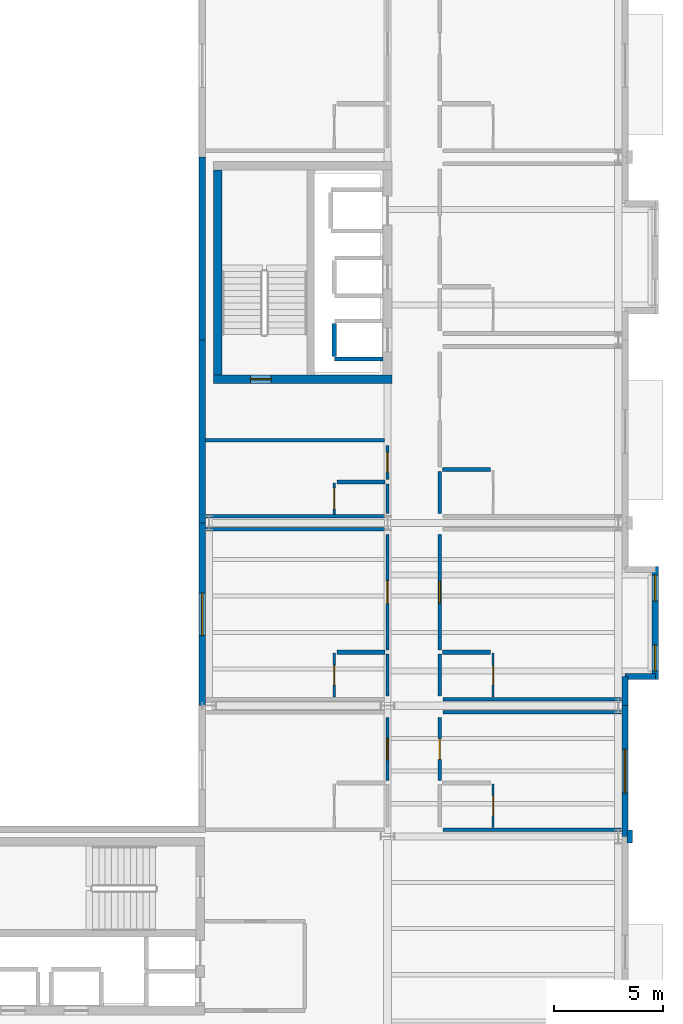
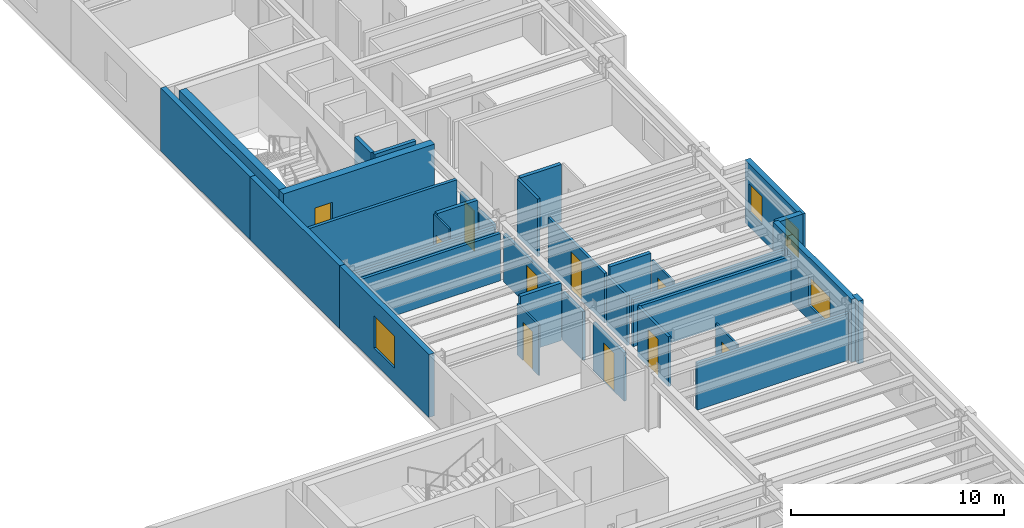
# One storey, part 24 of 34: 35 walls, 10 doors, 4 windows, 14 openings.
"""IFC4 building model written with IfcOpenShell, lengths in metres."""

from ifc_helpers import new_model, si_unit, direction, frame, frame_2d, origin, place, context, subcontext, project, spatial, rectangle, extrude, material, layer, layer_set, type_object, element, fill, save


model = new_model("IFC4")

# Units and contexts
model_context = context("Model", 3, precision=1e-05, world=origin(), true_north=direction((0.0, 1.0)))
body_context = subcontext(model_context, "Body", "Model", "MODEL_VIEW")
ifc_project = project(units=[si_unit("LENGTHUNIT", "METRE"), si_unit("AREAUNIT", "SQUARE_METRE"), si_unit("VOLUMEUNIT", "CUBIC_METRE"), si_unit("PLANEANGLEUNIT", "RADIAN"), si_unit("MASSUNIT", "GRAM", prefix="KILO")], contexts=[model_context])

# Site, building, storey
site_placement = place(None, origin())
site = spatial("IfcSite", under=ifc_project, at=site_placement, CompositionType="ELEMENT")
building_placement = place(site_placement, origin())
building = spatial("IfcBuilding", under=site, at=building_placement, Name="Sollismere Congress Hotel", CompositionType="ELEMENT")
storey_placement = place(building_placement, frame((0.0, 0.0, 23.39990234375)))
storey = spatial("IfcBuildingStorey", under=building, at=storey_placement, Name="L05", CompositionType="ELEMENT", Elevation=23.39990234375)

# Wall, opening, window
ifc_material_1 = material(Name="Colorado Buff Sandstone Rainscreen on Insulated Backup", Category="masonry")
ifc_layer_1 = layer(ifc_material_1, 0.284912109375, Name="Colorado Buff Sandstone Rainscreen on Insulated Backup")
ifc_layer_set_1 = layer_set([ifc_layer_1], Name="Colorado Buff Sandstone Rainscreen on Insulated Backup")
wall_type_1 = type_object("IfcWallType", Name="WL-EXT285", PredefinedType="STANDARD", material=ifc_layer_set_1)
wall_1_placement = place(storey_placement, frame((166.31005859375, 18.800048828125, 0.0), z_axis=(0.0, 0.0, 1.0), x_axis=(0.0, 1.0, 0.0)))
wall_1 = element("IfcWall", 1, at=wall_1_placement, inside=storey, type_object=wall_type_1, Name="Exterior wall EW-L05-612", PredefinedType="STANDARD", context=body_context, shape_type="SweptSolid", body=[
    extrude(rectangle(XDim=6.0, YDim=0.284912109375, at=frame_2d((3.0, 0.0))), origin(), (0.0, 0.0, 1.0), 3.60009765625),
])
opening_1_placement = place(wall_1_placement, frame((2.0, 0.0, 0.85009765625)))
opening_1 = element("IfcOpeningElement", 2, at=opening_1_placement, cuts=wall_1, Name="Opening W-L05-455", PredefinedType="OPENING", context=body_context, shape_type="SweptSolid", body=[
    extrude(rectangle(XDim=2.0, YDim=1.64990234375, at=frame_2d((1.0, 0.824951171875))), frame((0.0, 0.15234375, 0.0), z_axis=(0.0, -1.0, 0.0), x_axis=(1.0, 0.0, 0.0)), (0.0, 0.0, 1.0), 0.304931640625),
])
ifc_material_2 = material(Name="Thermally Broken Bronze Aluminum & Low-E Glass", Category="aluminium")
window_type_1 = type_object("IfcWindowType", Name="WN-P200x165", PartitioningType="SINGLE_PANEL", PredefinedType="WINDOW", material=ifc_material_2)
window_1_placement = place(opening_1_placement, origin())
window_1 = element("IfcWindow", 3, at=window_1_placement, inside=storey, type_object=window_type_1, Name="WIN-W-L05-455", OverallHeight=1.64990234375, OverallWidth=2.0, PartitioningType="SINGLE_PANEL", PredefinedType="WINDOW", context=body_context, shape_type="SweptSolid", body=[
    extrude(rectangle(XDim=2.0, YDim=1.64990234375, at=frame_2d((1.0, 0.824951171875))), frame((0.0, 0.030029296875, 0.0), z_axis=(0.0, -1.0, 0.0), x_axis=(1.0, 0.0, 0.0)), (0.0, 0.0, 1.0), 0.06005859375),
])
fill(opening_1, window_1)

# Wall
wall_2_placement = place(storey_placement, frame((166.31005859375, 24.800048828125, 0.0), z_axis=(0.0, 0.0, 1.0), x_axis=(0.0, 1.0, 0.0)))
element("IfcWall", 4, at=wall_2_placement, inside=storey, type_object=wall_type_1, Name="Exterior wall EW-L05-614", PredefinedType="STANDARD", context=body_context, shape_type="SweptSolid", body=[
    extrude(rectangle(XDim=1.33984375, YDim=0.284912109375, at=frame_2d((0.669921875, 0.0))), origin(), (0.0, 0.0, 1.0), 3.60009765625),
])

# Wall, openings, windows
wall_3_placement = place(storey_placement, frame((167.699951171875, 26.0, 0.0), z_axis=(0.0, 0.0, 1.0), x_axis=(0.0, 1.0, 0.0)))
wall_3 = element("IfcWall", 5, at=wall_3_placement, inside=storey, type_object=wall_type_1, Name="Exterior wall EW-L05-616", PredefinedType="STANDARD", context=body_context, shape_type="SweptSolid", body=[
    extrude(rectangle(XDim=5.199951171875, YDim=0.284912109375, at=frame_2d((2.60009765625, 0.0))), origin(), (0.0, 0.0, 1.0), 3.60009765625),
])
opening_2_placement = place(wall_3_placement, frame((0.39990234375, 0.0, 0.85009765625)))
opening_2 = element("IfcOpeningElement", 6, at=opening_2_placement, cuts=wall_3, Name="Opening W-L05-456", PredefinedType="OPENING", context=body_context, shape_type="SweptSolid", body=[
    extrude(rectangle(XDim=1.199951171875, YDim=1.60009765625, at=frame_2d((0.60009765625, 0.800048828125))), frame((0.0, 0.15234375, 0.0), z_axis=(0.0, -1.0, 0.0), x_axis=(1.0, 0.0, 0.0)), (0.0, 0.0, 1.0), 0.304931640625),
])
opening_3_placement = place(wall_3_placement, frame((3.60009765625, 0.0, 0.85009765625)))
opening_3 = element("IfcOpeningElement", 7, at=opening_3_placement, cuts=wall_3, Name="Opening W-L05-457", PredefinedType="OPENING", context=body_context, shape_type="SweptSolid", body=[
    extrude(rectangle(XDim=1.199951171875, YDim=1.60009765625, at=frame_2d((0.60009765625, 0.800048828125))), frame((0.0, 0.15234375, 0.0), z_axis=(0.0, -1.0, 0.0), x_axis=(1.0, 0.0, 0.0)), (0.0, 0.0, 1.0), 0.304931640625),
])
window_type_2 = type_object("IfcWindowType", Name="WN-P120x160", PartitioningType="SINGLE_PANEL", PredefinedType="WINDOW", material=ifc_material_2)
window_2_placement = place(opening_2_placement, origin())
window_2 = element("IfcWindow", 8, at=window_2_placement, inside=storey, type_object=window_type_2, Name="WIN-W-L05-456", OverallHeight=1.60009765625, OverallWidth=1.199951171875, PartitioningType="SINGLE_PANEL", PredefinedType="WINDOW", context=body_context, shape_type="SweptSolid", body=[
    extrude(rectangle(XDim=1.199951171875, YDim=1.60009765625, at=frame_2d((0.60009765625, 0.800048828125))), frame((0.0, 0.030029296875, 0.0), z_axis=(0.0, -1.0, 0.0), x_axis=(1.0, 0.0, 0.0)), (0.0, 0.0, 1.0), 0.06005859375),
])
fill(opening_2, window_2)
window_3_placement = place(opening_3_placement, origin())
window_3 = element("IfcWindow", 9, at=window_3_placement, inside=storey, type_object=window_type_2, Name="WIN-W-L05-457", OverallHeight=1.60009765625, OverallWidth=1.199951171875, PartitioningType="SINGLE_PANEL", PredefinedType="WINDOW", context=body_context, shape_type="SweptSolid", body=[
    extrude(rectangle(XDim=1.199951171875, YDim=1.60009765625, at=frame_2d((0.60009765625, 0.800048828125))), frame((0.0, 0.030029296875, 0.0), z_axis=(0.0, -1.0, 0.0), x_axis=(1.0, 0.0, 0.0)), (0.0, 0.0, 1.0), 0.06005859375),
])
fill(opening_3, window_3)

# Wall
wall_4_placement = place(storey_placement, frame((166.31005859375, 26.139892578125, 0.0), z_axis=(0.0, 0.0, 1.0), x_axis=(1.0, 0.0, 0.0)))
element("IfcWall", 10, at=wall_4_placement, inside=storey, type_object=wall_type_1, Name="Exterior wall EW-L05-617", PredefinedType="STANDARD", context=body_context, shape_type="SweptSolid", body=[
    extrude(rectangle(XDim=1.389892578125, YDim=0.284912109375, at=frame_2d((0.69482421875, 0.0))), origin(), (0.0, 0.0, 1.0), 3.60009765625),
])

# Wall, opening, window
wall_5_placement = place(storey_placement, frame((146.889892578125, 24.800048828125, 0.0), z_axis=(0.0, 0.0, 1.0), x_axis=(0.0, 1.0, 0.0)))
wall_5 = element("IfcWall", 11, at=wall_5_placement, inside=storey, type_object=wall_type_1, Name="Exterior wall EW-L05-643", PredefinedType="STANDARD", context=body_context, shape_type="SweptSolid", body=[
    extrude(rectangle(XDim=8.39990234375, YDim=0.284912109375, at=frame_2d((4.199951171875, 0.0))), origin(), (0.0, 0.0, 1.0), 3.60009765625),
])
opening_4_placement = place(wall_5_placement, frame((3.22509765625, 0.0, 0.85009765625)))
opening_4 = element("IfcOpeningElement", 12, at=opening_4_placement, cuts=wall_5, Name="Opening W-L05-476", PredefinedType="OPENING", context=body_context, shape_type="SweptSolid", body=[
    extrude(rectangle(XDim=1.949951171875, YDim=1.85009765625, at=frame_2d((0.97509765625, 0.925048828125))), frame((0.0, 0.15234375, 0.0), z_axis=(0.0, -1.0, 0.0), x_axis=(1.0, 0.0, 0.0)), (0.0, 0.0, 1.0), 0.304931640625),
])
window_type_3 = type_object("IfcWindowType", Name="WN-P195x185", PartitioningType="SINGLE_PANEL", PredefinedType="WINDOW", material=ifc_material_2)
window_4_placement = place(opening_4_placement, origin())
window_4 = element("IfcWindow", 13, at=window_4_placement, inside=storey, type_object=window_type_3, Name="WIN-W-L05-476", OverallHeight=1.85009765625, OverallWidth=1.949951171875, PartitioningType="SINGLE_PANEL", PredefinedType="WINDOW", context=body_context, shape_type="SweptSolid", body=[
    extrude(rectangle(XDim=1.949951171875, YDim=1.85009765625, at=frame_2d((0.97509765625, 0.925048828125))), frame((0.0, 0.030029296875, 0.0), z_axis=(0.0, -1.0, 0.0), x_axis=(1.0, 0.0, 0.0)), (0.0, 0.0, 1.0), 0.06005859375),
])
fill(opening_4, window_4)

# Walls
wall_6_placement = place(storey_placement, frame((146.889892578125, 33.199951171875, 0.0), z_axis=(0.0, 0.0, 1.0), x_axis=(0.0, 1.0, 0.0)))
element("IfcWall", 14, at=wall_6_placement, inside=storey, type_object=wall_type_1, Name="Exterior wall EW-L05-644", PredefinedType="STANDARD", context=body_context, shape_type="SweptSolid", body=[
    extrude(rectangle(XDim=8.400146484375, YDim=0.284912109375, at=frame_2d((4.2001953125, 0.0))), origin(), (0.0, 0.0, 1.0), 3.60009765625),
])
wall_7_placement = place(storey_placement, frame((146.889892578125, 41.60009765625, 0.0), z_axis=(0.0, 0.0, 1.0), x_axis=(0.0, 1.0, 0.0)))
element("IfcWall", 15, at=wall_7_placement, inside=storey, type_object=wall_type_1, Name="Exterior wall EW-L05-645", PredefinedType="STANDARD", context=body_context, shape_type="SweptSolid", body=[
    extrude(rectangle(XDim=8.39990234375, YDim=0.284912109375, at=frame_2d((4.199951171875, 0.0))), origin(), (0.0, 0.0, 1.0), 3.60009765625),
])
ifc_material_3 = material(Name="Carved Travertine Pilaster & Frieze Assembly", Category="masonry")
ifc_layer_2 = layer(ifc_material_3, 0.260009765625, Name="Carved Travertine Pilaster & Frieze Assembly")
ifc_layer_set_2 = layer_set([ifc_layer_2], Name="Carved Travertine Pilaster & Frieze Assembly")
wall_type_2 = type_object("IfcWallType", Name="WL-PIL280", PredefinedType="ELEMENTEDWALL", material=ifc_layer_set_2)
wall_8_placement = place(storey_placement, frame((166.52001953125, 18.5, 0.0), z_axis=(0.0, 0.0, 1.0), x_axis=(0.0, 1.0, 0.0)))
element("IfcWall", 16, at=wall_8_placement, inside=storey, type_object=wall_type_2, Name="Exterior wall EW-L05-613", PredefinedType="ELEMENTEDWALL", context=body_context, shape_type="SweptSolid", body=[
    extrude(rectangle(XDim=0.60009765625, YDim=0.260009765625, at=frame_2d((0.300048828125, 0.0))), origin(), (0.0, 0.0, 1.0), 3.60009765625),
])
ifc_material_4 = material(Name="Moisture-Resistant Shaft Gypsum Assembly")
ifc_layer_3 = layer(ifc_material_4, 0.199951171875, Name="Moisture-Resistant Shaft Gypsum Assembly")
ifc_layer_set_3 = layer_set([ifc_layer_3], Name="Moisture-Resistant Shaft Gypsum Assembly")
wall_type_3 = type_object("IfcWallType", Name="WL-PLM200", PredefinedType="PLUMBINGWALL", material=ifc_layer_set_3)
wall_9_placement = place(storey_placement, frame((152.955078125, 40.72998046875, 0.0), z_axis=(0.0, 0.0, 1.0), x_axis=(1.0, 0.0, 0.0)))
element("IfcWall", 17, at=wall_9_placement, inside=storey, type_object=wall_type_3, Name="Interior wall IW-L05-0467", PredefinedType="PLUMBINGWALL", context=body_context, shape_type="SweptSolid", body=[
    extrude(rectangle(XDim=2.23291015625, YDim=0.199951171875, at=frame_2d((1.116455078125, 0.0))), origin(), (0.0, 0.0, 1.0), 3.300048828125),
])
wall_10_placement = place(storey_placement, frame((152.955078125, 40.842041015625, 0.0), z_axis=(0.0, 0.0, 1.0), x_axis=(0.0, 1.0, 0.0)))
element("IfcWall", 18, at=wall_10_placement, inside=storey, type_object=wall_type_3, Name="Interior wall IW-L05-0469", PredefinedType="PLUMBINGWALL", context=body_context, shape_type="SweptSolid", body=[
    extrude(rectangle(XDim=1.515869140625, YDim=0.199951171875, at=frame_2d((0.7578125, 0.0))), origin(), (0.0, 0.0, 1.0), 3.300048828125),
])
for number, where, z_axis, x_axis, name in (
    (19, (157.919921875, 27.25, 0.0), (0.0, 0.0, 1.0), (1.0, 0.0, 0.0), "Interior wall IW-L05-1898"),
    (20, (153.070068359375, 27.25, 0.0), (0.0, 0.0, 1.0), (1.0, 0.0, 0.0), "Interior wall IW-L05-1904"),
    (21, (157.919921875, 35.64990234375, 0.0), (0.0, 0.0, 1.0), (1.0, 0.0, 0.0), "Interior wall IW-L05-1910"),
    (22, (153.070068359375, 35.074951171875, 0.0), (0.0, 0.0, 1.0), (1.0, 0.0, 0.0), "Interior wall IW-L05-1916"),
):
    element("IfcWall", number, at=place(storey_placement, frame(where, z_axis=z_axis, x_axis=x_axis)), inside=storey, type_object=wall_type_3, Name=name, PredefinedType="PLUMBINGWALL", context=body_context, shape_type="SweptSolid", body=[
        extrude(rectangle(XDim=2.2099609375, YDim=0.199951171875, at=frame_2d((1.10498046875, 0.0))), origin(), (0.0, 0.0, 1.0), 3.300048828125),
    ])

# Wall, opening, door
ifc_material_5 = material(Name="Moisture-Resistant Gypsum Partition")
ifc_layer_4 = layer(ifc_material_5, 0.10009765625, Name="Moisture-Resistant Gypsum Partition")
ifc_layer_set_4 = layer_set([ifc_layer_4], Name="Moisture-Resistant Gypsum Partition")
wall_type_4 = type_object("IfcWallType", Name="WL-PRT100", PredefinedType="PARTITIONING", material=ifc_layer_set_4)
wall_11_placement = place(storey_placement, frame((160.25, 19.194580078125, 0.0), z_axis=(0.0, 0.0, 1.0), x_axis=(0.0, 1.0, 0.0)))
wall_11 = element("IfcWall", 23, at=wall_11_placement, inside=storey, type_object=wall_type_4, Name="Interior wall IW-L05-1887", PredefinedType="PARTITIONING", context=body_context, shape_type="SweptSolid", body=[
    extrude(rectangle(XDim=2.015380859375, YDim=0.10009765625, at=frame_2d((1.0078125, 0.0))), origin(), (0.0, 0.0, 1.0), 2.858154296875),
])
opening_5_placement = place(wall_11_placement, frame((0.54296875, 0.0, 0.0)))
opening_5 = element("IfcOpeningElement", 24, at=opening_5_placement, cuts=wall_11, Name="Opening D-L05-0666", PredefinedType="OPENING", context=body_context, shape_type="SweptSolid", body=[
    extrude(rectangle(XDim=0.929931640625, YDim=2.139892578125, at=frame_2d((0.46484375, 1.06982421875))), frame((0.0, 0.06005859375, 0.0), z_axis=(0.0, -1.0, 0.0), x_axis=(1.0, 0.0, 0.0)), (0.0, 0.0, 1.0), 0.1201171875),
])
ifc_material_6 = material(Name="Moisture-Sealed Timber Bathroom Door", Category="wood")
door_type_1 = type_object("IfcDoorType", Name="DR-BT03", OperationType="NOTDEFINED", PredefinedType="DOOR", material=ifc_material_6)
door_1_placement = place(opening_5_placement, origin())
door_1 = element("IfcDoor", 25, at=door_1_placement, inside=storey, type_object=door_type_1, Name="En-suite bathroom door D-L05-0666", OperationType="SINGLE_SWING_LEFT", OverallHeight=2.139892578125, OverallWidth=0.929931640625, PredefinedType="DOOR", context=body_context, shape_type="SweptSolid", body=[
    extrude(rectangle(XDim=0.929931640625, YDim=2.139892578125, at=frame_2d((0.46484375, 1.06982421875))), frame((0.0, 0.02490234375, 0.0), z_axis=(0.0, -1.0, 0.0), x_axis=(1.0, 0.0, 0.0)), (0.0, 0.0, 1.0), 0.050048828125),
])
fill(opening_5, door_1)

wall_12_placement = place(storey_placement, frame((160.25, 25.194580078125, 0.0), z_axis=(0.0, 0.0, 1.0), x_axis=(0.0, 1.0, 0.0)))
wall_12 = element("IfcWall", 26, at=wall_12_placement, inside=storey, type_object=wall_type_4, Name="Interior wall IW-L05-1899", PredefinedType="PARTITIONING", context=body_context, shape_type="SweptSolid", body=[
    extrude(rectangle(XDim=2.015380859375, YDim=0.10009765625, at=frame_2d((1.0078125, 0.0))), origin(), (0.0, 0.0, 1.0), 2.85302734375),
])
opening_6_placement = place(wall_12_placement, frame((0.568115234375, 0.0, 0.0)))
opening_6 = element("IfcOpeningElement", 27, at=opening_6_placement, cuts=wall_12, Name="Opening D-L05-0670", PredefinedType="OPENING", context=body_context, shape_type="SweptSolid", body=[
    extrude(rectangle(XDim=0.8798828125, YDim=2.179931640625, at=frame_2d((0.43994140625, 1.08984375))), frame((0.0, 0.06005859375, 0.0), z_axis=(0.0, -1.0, 0.0), x_axis=(1.0, 0.0, 0.0)), (0.0, 0.0, 1.0), 0.1201171875),
])
door_type_2 = type_object("IfcDoorType", Name="DR-BT05", OperationType="NOTDEFINED", PredefinedType="DOOR", material=ifc_material_6)
door_2_placement = place(opening_6_placement, origin())
door_2 = element("IfcDoor", 28, at=door_2_placement, inside=storey, type_object=door_type_2, Name="En-suite bathroom door D-L05-0670", OperationType="SINGLE_SWING_LEFT", OverallHeight=2.179931640625, OverallWidth=0.8798828125, PredefinedType="DOOR", context=body_context, shape_type="SweptSolid", body=[
    extrude(rectangle(XDim=0.8798828125, YDim=2.179931640625, at=frame_2d((0.43994140625, 1.08984375))), frame((0.0, 0.02490234375, 0.0), z_axis=(0.0, -1.0, 0.0), x_axis=(1.0, 0.0, 0.0)), (0.0, 0.0, 1.0), 0.050048828125),
])
fill(opening_6, door_2)

wall_13_placement = place(storey_placement, frame((152.949951171875, 25.194580078125, 0.0), z_axis=(0.0, 0.0, 1.0), x_axis=(0.0, 1.0, 0.0)))
wall_13 = element("IfcWall", 29, at=wall_13_placement, inside=storey, type_object=wall_type_4, Name="Interior wall IW-L05-1905", PredefinedType="PARTITIONING", context=body_context, shape_type="SweptSolid", body=[
    extrude(rectangle(XDim=2.015380859375, YDim=0.10009765625, at=frame_2d((1.0078125, 0.0))), origin(), (0.0, 0.0, 1.0), 2.908203125),
])
opening_7_placement = place(wall_13_placement, frame((0.554931640625, 0.0, 0.0)))
opening_7 = element("IfcOpeningElement", 30, at=opening_7_placement, cuts=wall_13, Name="Opening D-L05-0672", PredefinedType="OPENING", context=body_context, shape_type="SweptSolid", body=[
    extrude(rectangle(XDim=0.905029296875, YDim=2.179931640625, at=frame_2d((0.45263671875, 1.08984375))), frame((0.0, 0.06005859375, 0.0), z_axis=(0.0, -1.0, 0.0), x_axis=(1.0, 0.0, 0.0)), (0.0, 0.0, 1.0), 0.1201171875),
])
door_type_3 = type_object("IfcDoorType", Name="DR-BT06", OperationType="NOTDEFINED", PredefinedType="DOOR", material=ifc_material_6)
door_3_placement = place(opening_7_placement, origin())
door_3 = element("IfcDoor", 31, at=door_3_placement, inside=storey, type_object=door_type_3, Name="En-suite bathroom door D-L05-0672", OperationType="SINGLE_SWING_LEFT", OverallHeight=2.179931640625, OverallWidth=0.905029296875, PredefinedType="DOOR", context=body_context, shape_type="SweptSolid", body=[
    extrude(rectangle(XDim=0.905029296875, YDim=2.179931640625, at=frame_2d((0.45263671875, 1.08984375))), frame((0.0, 0.02490234375, 0.0), z_axis=(0.0, -1.0, 0.0), x_axis=(1.0, 0.0, 0.0)), (0.0, 0.0, 1.0), 0.050048828125),
])
fill(opening_7, door_3)

wall_14_placement = place(storey_placement, frame((152.949951171875, 33.594482421875, 0.0), z_axis=(0.0, 0.0, 1.0), x_axis=(0.0, 1.0, 0.0)))
wall_14 = element("IfcWall", 32, at=wall_14_placement, inside=storey, type_object=wall_type_4, Name="Interior wall IW-L05-1917", PredefinedType="PARTITIONING", context=body_context, shape_type="SweptSolid", body=[
    extrude(rectangle(XDim=1.4404296875, YDim=0.10009765625, at=frame_2d((0.72021484375, 0.0))), origin(), (0.0, 0.0, 1.0), 3.300048828125),
])
opening_8_placement = place(wall_14_placement, frame((0.242919921875, 0.0, 0.0)))
opening_8 = element("IfcOpeningElement", 33, at=opening_8_placement, cuts=wall_14, Name="Opening D-L05-0676", PredefinedType="OPENING", context=body_context, shape_type="SweptSolid", body=[
    extrude(rectangle(XDim=0.955078125, YDim=2.219970703125, at=frame_2d((0.4775390625, 1.10986328125))), frame((0.0, 0.06005859375, 0.0), z_axis=(0.0, -1.0, 0.0), x_axis=(1.0, 0.0, 0.0)), (0.0, 0.0, 1.0), 0.1201171875),
])
door_type_4 = type_object("IfcDoorType", Name="DR-BT08", OperationType="NOTDEFINED", PredefinedType="DOOR", material=ifc_material_6)
door_4_placement = place(opening_8_placement, origin())
door_4 = element("IfcDoor", 34, at=door_4_placement, inside=storey, type_object=door_type_4, Name="En-suite bathroom door D-L05-0676", OperationType="SINGLE_SWING_LEFT", OverallHeight=2.219970703125, OverallWidth=0.955078125, PredefinedType="DOOR", context=body_context, shape_type="SweptSolid", body=[
    extrude(rectangle(XDim=0.955078125, YDim=2.219970703125, at=frame_2d((0.4775390625, 1.10986328125))), frame((0.0, 0.02490234375, 0.0), z_axis=(0.0, -1.0, 0.0), x_axis=(1.0, 0.0, 0.0)), (0.0, 0.0, 1.0), 0.050048828125),
])
fill(opening_8, door_4)

ifc_material_7 = material(Name="Fire-Rated Gypsum Partition")
ifc_layer_5 = layer(ifc_material_7, 0.139892578125, Name="Fire-Rated Gypsum Partition")
ifc_layer_set_5 = layer_set([ifc_layer_5], Name="Fire-Rated Gypsum Partition")
wall_type_5 = type_object("IfcWallType", Name="WL-PRT140R", PredefinedType="PARTITIONING", material=ifc_layer_set_5)
wall_15_placement = place(storey_placement, frame((157.800048828125, 21.3701171875, 0.0), z_axis=(0.0, 0.0, 1.0), x_axis=(0.0, 1.0, 0.0)))
wall_15 = element("IfcWall", 35, at=wall_15_placement, inside=storey, type_object=wall_type_5, Name="Interior wall IW-L05-1883", PredefinedType="PARTITIONING", context=body_context, shape_type="SweptSolid", body=[
    extrude(rectangle(XDim=2.889892578125, YDim=0.139892578125, at=frame_2d((1.44482421875, 0.0))), origin(), (0.0, 0.0, 1.0), 2.858154296875),
])
opening_9_placement = place(wall_15_placement, frame((0.969970703125, 0.0, 0.0)))
opening_9 = element("IfcOpeningElement", 36, at=opening_9_placement, cuts=wall_15, Name="Opening D-L05-0665", PredefinedType="OPENING", context=body_context, shape_type="SweptSolid", body=[
    extrude(rectangle(XDim=0.949951171875, YDim=2.14990234375, at=frame_2d((0.47509765625, 1.074951171875))), frame((0.0, 0.079833984375, 0.0), z_axis=(0.0, -1.0, 0.0), x_axis=(1.0, 0.0, 0.0)), (0.0, 0.0, 1.0), 0.159912109375),
])
ifc_material_8 = material(Name="Solid-Core Acoustic Walnut Guestroom Entry Door")
door_type_5 = type_object("IfcDoorType", Name="DR-KY02", OperationType="NOTDEFINED", PredefinedType="DOOR", material=ifc_material_8)
door_5_placement = place(opening_9_placement, origin())
door_5 = element("IfcDoor", 37, at=door_5_placement, inside=storey, type_object=door_type_5, Name="Hotel room entry door D-L05-0665", OperationType="SINGLE_SWING_RIGHT", OverallHeight=2.14990234375, OverallWidth=0.949951171875, PredefinedType="DOOR", context=body_context, shape_type="SweptSolid", body=[
    extrude(rectangle(XDim=0.949951171875, YDim=2.14990234375, at=frame_2d((0.47509765625, 1.074951171875))), frame((0.0, 0.02490234375, 0.0), z_axis=(0.0, -1.0, 0.0), x_axis=(1.0, 0.0, 0.0)), (0.0, 0.0, 1.0), 0.050048828125),
])
fill(opening_9, door_5)

wall_16_placement = place(storey_placement, frame((155.39990234375, 21.3701171875, 0.0), z_axis=(0.0, 0.0, 1.0), x_axis=(0.0, 1.0, 0.0)))
wall_16 = element("IfcWall", 38, at=wall_16_placement, inside=storey, type_object=wall_type_5, Name="Interior wall IW-L05-1889", PredefinedType="PARTITIONING", context=body_context, shape_type="SweptSolid", body=[
    extrude(rectangle(XDim=2.889892578125, YDim=0.139892578125, at=frame_2d((1.44482421875, 0.0))), origin(), (0.0, 0.0, 1.0), 2.774169921875),
])
opening_10_placement = place(wall_16_placement, frame((0.955078125, 0.0, 0.0)))
opening_10 = element("IfcOpeningElement", 39, at=opening_10_placement, cuts=wall_16, Name="Opening D-L05-0667", PredefinedType="OPENING", context=body_context, shape_type="SweptSolid", body=[
    extrude(rectangle(XDim=0.97998046875, YDim=2.199951171875, at=frame_2d((0.489990234375, 1.10009765625))), frame((0.0, 0.079833984375, 0.0), z_axis=(0.0, -1.0, 0.0), x_axis=(1.0, 0.0, 0.0)), (0.0, 0.0, 1.0), 0.159912109375),
])
door_type_6 = type_object("IfcDoorType", Name="DR-KY03", OperationType="NOTDEFINED", PredefinedType="DOOR", material=ifc_material_8)
door_6_placement = place(opening_10_placement, origin())
door_6 = element("IfcDoor", 40, at=door_6_placement, inside=storey, type_object=door_type_6, Name="Hotel room entry door D-L05-0667", OperationType="SINGLE_SWING_RIGHT", OverallHeight=2.199951171875, OverallWidth=0.97998046875, PredefinedType="DOOR", context=body_context, shape_type="SweptSolid", body=[
    extrude(rectangle(XDim=0.97998046875, YDim=2.199951171875, at=frame_2d((0.489990234375, 1.10009765625))), frame((0.0, 0.02490234375, 0.0), z_axis=(0.0, -1.0, 0.0), x_axis=(1.0, 0.0, 0.0)), (0.0, 0.0, 1.0), 0.050048828125),
])
fill(opening_10, door_6)

# Wall
wall_17_placement = place(storey_placement, frame((157.800048828125, 25.239990234375, 0.0), z_axis=(0.0, 0.0, 1.0), x_axis=(0.0, 1.0, 0.0)))
element("IfcWall", 41, at=wall_17_placement, inside=storey, type_object=wall_type_5, Name="Interior wall IW-L05-1894", PredefinedType="PARTITIONING", context=body_context, shape_type="SweptSolid", body=[
    extrude(rectangle(XDim=1.929931640625, YDim=0.139892578125, at=frame_2d((0.96484375, 0.0))), origin(), (0.0, 0.0, 1.0), 2.85302734375),
])

# Wall, opening, door
wall_18_placement = place(storey_placement, frame((157.800048828125, 27.3701171875, 0.0), z_axis=(0.0, 0.0, 1.0), x_axis=(0.0, 1.0, 0.0)))
wall_18 = element("IfcWall", 42, at=wall_18_placement, inside=storey, type_object=wall_type_5, Name="Interior wall IW-L05-1895", PredefinedType="PARTITIONING", context=body_context, shape_type="SweptSolid", body=[
    extrude(rectangle(XDim=5.289794921875, YDim=0.139892578125, at=frame_2d((2.64501953125, 0.0))), origin(), (0.0, 0.0, 1.0), 2.85302734375),
])
opening_11_placement = place(wall_18_placement, frame((2.139892578125, 0.0, 0.0)))
opening_11 = element("IfcOpeningElement", 43, at=opening_11_placement, cuts=wall_18, Name="Opening D-L05-0669", PredefinedType="OPENING", context=body_context, shape_type="SweptSolid", body=[
    extrude(rectangle(XDim=1.010009765625, YDim=2.199951171875, at=frame_2d((0.5048828125, 1.10009765625))), frame((0.0, 0.079833984375, 0.0), z_axis=(0.0, -1.0, 0.0), x_axis=(1.0, 0.0, 0.0)), (0.0, 0.0, 1.0), 0.159912109375),
])
door_type_7 = type_object("IfcDoorType", Name="DR-KY04", OperationType="NOTDEFINED", PredefinedType="DOOR", material=ifc_material_8)
door_7_placement = place(opening_11_placement, origin())
door_7 = element("IfcDoor", 44, at=door_7_placement, inside=storey, type_object=door_type_7, Name="Hotel room entry door D-L05-0669", OperationType="SINGLE_SWING_RIGHT", OverallHeight=2.199951171875, OverallWidth=1.010009765625, PredefinedType="DOOR", context=body_context, shape_type="SweptSolid", body=[
    extrude(rectangle(XDim=1.010009765625, YDim=2.199951171875, at=frame_2d((0.5048828125, 1.10009765625))), frame((0.0, 0.02490234375, 0.0), z_axis=(0.0, -1.0, 0.0), x_axis=(1.0, 0.0, 0.0)), (0.0, 0.0, 1.0), 0.050048828125),
])
fill(opening_11, door_7)

# Wall
wall_19_placement = place(storey_placement, frame((155.39990234375, 25.239990234375, 0.0), z_axis=(0.0, 0.0, 1.0), x_axis=(0.0, 1.0, 0.0)))
element("IfcWall", 45, at=wall_19_placement, inside=storey, type_object=wall_type_5, Name="Interior wall IW-L05-1900", PredefinedType="PARTITIONING", context=body_context, shape_type="SweptSolid", body=[
    extrude(rectangle(XDim=1.929931640625, YDim=0.139892578125, at=frame_2d((0.96484375, 0.0))), origin(), (0.0, 0.0, 1.0), 2.774169921875),
])

# Wall, opening, door
wall_20_placement = place(storey_placement, frame((155.39990234375, 27.3701171875, 0.0), z_axis=(0.0, 0.0, 1.0), x_axis=(0.0, 1.0, 0.0)))
wall_20 = element("IfcWall", 46, at=wall_20_placement, inside=storey, type_object=wall_type_5, Name="Interior wall IW-L05-1901", PredefinedType="PARTITIONING", context=body_context, shape_type="SweptSolid", body=[
    extrude(rectangle(XDim=5.289794921875, YDim=0.139892578125, at=frame_2d((2.64501953125, 0.0))), origin(), (0.0, 0.0, 1.0), 2.774169921875),
])
opening_12_placement = place(wall_20_placement, frame((2.125, 0.0, 0.0)))
opening_12 = element("IfcOpeningElement", 47, at=opening_12_placement, cuts=wall_20, Name="Opening D-L05-0671", PredefinedType="OPENING", context=body_context, shape_type="SweptSolid", body=[
    extrude(rectangle(XDim=1.0400390625, YDim=2.25, at=frame_2d((0.52001953125, 1.125))), frame((0.0, 0.079833984375, 0.0), z_axis=(0.0, -1.0, 0.0), x_axis=(1.0, 0.0, 0.0)), (0.0, 0.0, 1.0), 0.159912109375),
])
door_type_8 = type_object("IfcDoorType", Name="DR-KY05", OperationType="NOTDEFINED", PredefinedType="DOOR", material=ifc_material_8)
door_8_placement = place(opening_12_placement, origin())
door_8 = element("IfcDoor", 48, at=door_8_placement, inside=storey, type_object=door_type_8, Name="Hotel room entry door D-L05-0671", OperationType="SINGLE_SWING_RIGHT", OverallHeight=2.25, OverallWidth=1.0400390625, PredefinedType="DOOR", context=body_context, shape_type="SweptSolid", body=[
    extrude(rectangle(XDim=1.0400390625, YDim=2.25, at=frame_2d((0.52001953125, 1.125))), frame((0.0, 0.02490234375, 0.0), z_axis=(0.0, -1.0, 0.0), x_axis=(1.0, 0.0, 0.0)), (0.0, 0.0, 1.0), 0.050048828125),
])
fill(opening_12, door_8)

# Walls
wall_21_placement = place(storey_placement, frame((157.800048828125, 33.639892578125, 0.0), z_axis=(0.0, 0.0, 1.0), x_axis=(0.0, 1.0, 0.0)))
element("IfcWall", 49, at=wall_21_placement, inside=storey, type_object=wall_type_5, Name="Interior wall IW-L05-1906", PredefinedType="PARTITIONING", context=body_context, shape_type="SweptSolid", body=[
    extrude(rectangle(XDim=1.93017578125, YDim=0.139892578125, at=frame_2d((0.965087890625, 0.0))), origin(), (0.0, 0.0, 1.0), 3.300048828125),
])
wall_22_placement = place(storey_placement, frame((155.39990234375, 33.639892578125, 0.0), z_axis=(0.0, 0.0, 1.0), x_axis=(0.0, 1.0, 0.0)))
element("IfcWall", 50, at=wall_22_placement, inside=storey, type_object=wall_type_5, Name="Interior wall IW-L05-1912", PredefinedType="PARTITIONING", context=body_context, shape_type="SweptSolid", body=[
    extrude(rectangle(XDim=1.355224609375, YDim=0.139892578125, at=frame_2d((0.677734375, 0.0))), origin(), (0.0, 0.0, 1.0), 2.690185546875),
])

# Wall, opening, door
wall_23_placement = place(storey_placement, frame((155.39990234375, 35.195068359375, 0.0), z_axis=(0.0, 0.0, 1.0), x_axis=(0.0, 1.0, 0.0)))
wall_23 = element("IfcWall", 51, at=wall_23_placement, inside=storey, type_object=wall_type_5, Name="Interior wall IW-L05-1913", PredefinedType="PARTITIONING", context=body_context, shape_type="SweptSolid", body=[
    extrude(rectangle(XDim=1.56494140625, YDim=0.139892578125, at=frame_2d((0.782470703125, 0.0))), origin(), (0.0, 0.0, 1.0), 2.690185546875),
])
opening_13_placement = place(wall_23_placement, frame((0.322021484375, 0.0, 0.0)))
opening_13 = element("IfcOpeningElement", 52, at=opening_13_placement, cuts=wall_23, Name="Opening D-L05-0675", PredefinedType="OPENING", context=body_context, shape_type="SweptSolid", body=[
    extrude(rectangle(XDim=0.919921875, YDim=2.300048828125, at=frame_2d((0.4599609375, 1.14990234375))), frame((0.0, 0.079833984375, 0.0), z_axis=(0.0, -1.0, 0.0), x_axis=(1.0, 0.0, 0.0)), (0.0, 0.0, 1.0), 0.159912109375),
])
door_type_9 = type_object("IfcDoorType", Name="DR-KY07", OperationType="NOTDEFINED", PredefinedType="DOOR", material=ifc_material_8)
door_9_placement = place(opening_13_placement, origin())
door_9 = element("IfcDoor", 53, at=door_9_placement, inside=storey, type_object=door_type_9, Name="Hotel room entry door D-L05-0675", OperationType="SINGLE_SWING_RIGHT", OverallHeight=2.300048828125, OverallWidth=0.919921875, PredefinedType="DOOR", context=body_context, shape_type="SweptSolid", body=[
    extrude(rectangle(XDim=0.919921875, YDim=2.300048828125, at=frame_2d((0.4599609375, 1.14990234375))), frame((0.0, 0.02490234375, 0.0), z_axis=(0.0, -1.0, 0.0), x_axis=(1.0, 0.0, 0.0)), (0.0, 0.0, 1.0), 0.050048828125),
])
fill(opening_13, door_9)

# Walls
ifc_material_9 = material(Name="Fire-Rated Acoustic Gypsum Partition")
ifc_layer_6 = layer(ifc_material_9, 0.1650390625, Name="Fire-Rated Acoustic Gypsum Partition")
ifc_layer_set_6 = layer_set([ifc_layer_6], Name="Fire-Rated Acoustic Gypsum Partition")
wall_type_6 = type_object("IfcWallType", Name="WL-PRT165R", PredefinedType="PARTITIONING", material=ifc_layer_set_6)
for number, where, z_axis, x_axis, name in (
    (54, (157.93994140625, 19.10009765625, 0.0), (0.0, 0.0, 1.0), (1.0, 0.0, 0.0), "Interior wall IW-L05-1884"),
    (55, (157.93994140625, 24.5, 0.0), (0.0, 0.0, 1.0), (1.0, 0.0, 0.0), "Interior wall IW-L05-1885"),
    (56, (157.93994140625, 25.10009765625, 0.0), (0.0, 0.0, 1.0), (1.0, 0.0, 0.0), "Interior wall IW-L05-1896"),
):
    element("IfcWall", number, at=place(storey_placement, frame(where, z_axis=z_axis, x_axis=x_axis)), inside=storey, type_object=wall_type_6, Name=name, PredefinedType="PARTITIONING", context=body_context, shape_type="SweptSolid", body=[
        extrude(rectangle(XDim=8.212646484375, YDim=0.1650390625, at=frame_2d((4.1064453125, 0.0))), origin(), (0.0, 0.0, 1.0), 2.690185546875),
    ])
for number, where, z_axis, x_axis, name in (
    (57, (147.047607421875, 32.89990234375, 0.0), (0.0, 0.0, 1.0), (1.0, 0.0, 0.0), "Interior wall IW-L05-1903"),
    (58, (147.047607421875, 33.5, 0.0), (0.0, 0.0, 1.0), (1.0, 0.0, 0.0), "Interior wall IW-L05-1914"),
):
    element("IfcWall", number, at=place(storey_placement, frame(where, z_axis=z_axis, x_axis=x_axis)), inside=storey, type_object=wall_type_6, Name=name, PredefinedType="PARTITIONING", context=body_context, shape_type="SweptSolid", body=[
        extrude(rectangle(XDim=8.21240234375, YDim=0.1650390625, at=frame_2d((4.106201171875, 0.0))), origin(), (0.0, 0.0, 1.0), 2.713134765625),
    ])
wall_24_placement = place(storey_placement, frame((147.047607421875, 37.0, 0.0), z_axis=(0.0, 0.0, 1.0), x_axis=(1.0, 0.0, 0.0)))
element("IfcWall", 59, at=wall_24_placement, inside=storey, type_object=wall_type_6, Name="Interior wall IW-L05-1915", PredefinedType="PARTITIONING", context=body_context, shape_type="SweptSolid", body=[
    extrude(rectangle(XDim=8.21240234375, YDim=0.1650390625, at=frame_2d((4.106201171875, 0.0))), origin(), (0.0, 0.0, 1.0), 3.300048828125),
])

# Wall, opening, door
ifc_material_10 = material(Name="Concrete C50/60", Category="concrete")
ifc_layer_7 = layer(ifc_material_10, 0.39990234375, Name="Concrete C50/60")
ifc_layer_set_7 = layer_set([ifc_layer_7], Name="Concrete C50/60")
wall_type_7 = type_object("IfcWallType", Name="WL-SHR400", PredefinedType="SHEAR", material=ifc_layer_set_7)
wall_25_placement = place(storey_placement, frame((147.39990234375, 39.800048828125, 0.0), z_axis=(0.0, 0.0, 1.0), x_axis=(1.0, 0.0, 0.0)))
wall_25 = element("IfcWall", 60, at=wall_25_placement, inside=storey, type_object=wall_type_7, Name="Interior wall IW-L05-0462", PredefinedType="SHEAR", context=body_context, shape_type="SweptSolid", body=[
    extrude(rectangle(XDim=8.2001953125, YDim=0.39990234375, at=frame_2d((4.10009765625, 0.0))), origin(), (0.0, 0.0, 1.0), 3.60009765625),
])
opening_14_placement = place(wall_25_placement, frame((1.699951171875, 0.0, 0.0)))
opening_14 = element("IfcOpeningElement", 61, at=opening_14_placement, cuts=wall_25, Name="Opening D-ST-03-L05", PredefinedType="OPENING", context=body_context, shape_type="SweptSolid", body=[
    extrude(rectangle(XDim=0.949951171875, YDim=2.199951171875, at=frame_2d((0.47509765625, 1.10009765625))), frame((0.0, 0.2099609375, 0.0), z_axis=(0.0, -1.0, 0.0), x_axis=(1.0, 0.0, 0.0)), (0.0, 0.0, 1.0), 0.419921875),
])
ifc_material_11 = material(Name="Fire-Rated Insulated Steel Door", Category="steel")
door_type_10 = type_object("IfcDoorType", Name="DR-FD90", OperationType="NOTDEFINED", PredefinedType="DOOR", material=ifc_material_11)
door_10_placement = place(opening_14_placement, origin())
door_10 = element("IfcDoor", 62, at=door_10_placement, inside=storey, type_object=door_type_10, Name="Exit stair fire door D-ST-03-L05", OperationType="SINGLE_SWING_LEFT", OverallHeight=2.199951171875, OverallWidth=0.949951171875, PredefinedType="DOOR", context=body_context, shape_type="SweptSolid", body=[
    extrude(rectangle(XDim=0.949951171875, YDim=2.199951171875, at=frame_2d((0.47509765625, 1.10009765625))), frame((0.0, 0.02490234375, 0.0), z_axis=(0.0, -1.0, 0.0), x_axis=(1.0, 0.0, 0.0)), (0.0, 0.0, 1.0), 0.050048828125),
])
fill(opening_14, door_10)

# Wall
wall_26_placement = place(storey_placement, frame((147.60009765625, 49.39990234375, 0.0), z_axis=(0.0, 0.0, 1.0), x_axis=(0.0, -1.0, 0.0)))
element("IfcWall", 63, at=wall_26_placement, inside=storey, type_object=wall_type_7, Name="Interior wall IW-L05-0464", PredefinedType="SHEAR", context=body_context, shape_type="SweptSolid", body=[
    extrude(rectangle(XDim=9.39990234375, YDim=0.39990234375, at=frame_2d((4.699951171875, 0.0))), origin(), (0.0, 0.0, 1.0), 3.60009765625),
])

save(model, "model.ifc")
